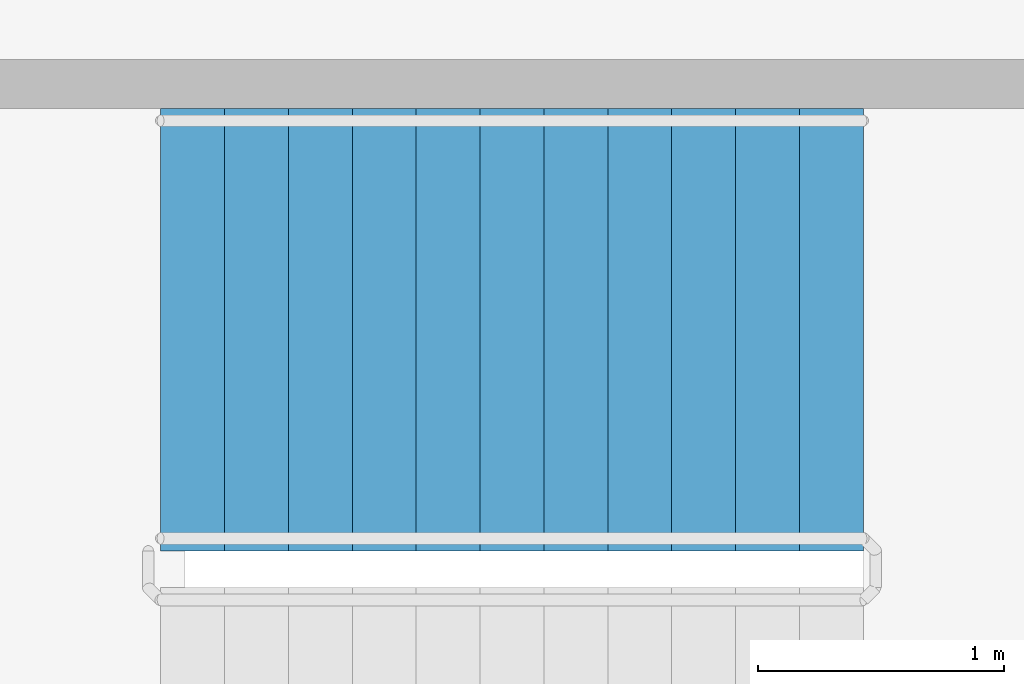
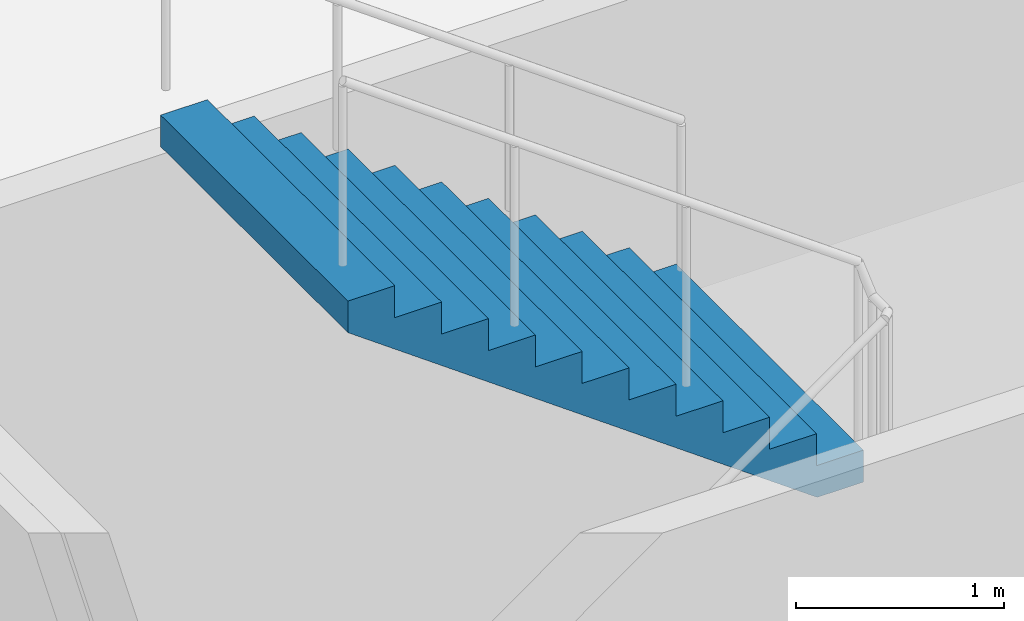
# One storey, part 27 of 49: 1 stair flight, 1 element without a shape of its own.
"""IFC4 building model written with IfcOpenShell, lengths in metres."""

from ifc_helpers import new_model, si_unit, direction, frame, origin, place, context, subcontext, project, spatial, faceted_brep, material, type_object, element, aggregate, save


model = new_model("IFC4")

# Units and contexts
model_context = context("Model", 3, precision=1e-05, world=origin(), true_north=direction((0.0, 1.0)))
body_context = subcontext(model_context, "Body", "Model", "MODEL_VIEW")
ifc_project = project(units=[si_unit("LENGTHUNIT", "METRE"), si_unit("AREAUNIT", "SQUARE_METRE"), si_unit("VOLUMEUNIT", "CUBIC_METRE"), si_unit("PLANEANGLEUNIT", "RADIAN"), si_unit("MASSUNIT", "GRAM", prefix="KILO")], contexts=[model_context])

# Site, building, storey
site_placement = place(None, origin())
site = spatial("IfcSite", under=ifc_project, at=site_placement, CompositionType="ELEMENT")
building_placement = place(site_placement, origin())
building = spatial("IfcBuilding", under=site, at=building_placement, Name="Ipe Terrace Towers", CompositionType="ELEMENT")
storey_placement = place(building_placement, frame((0.0, 0.0, 11.0)))
storey = spatial("IfcBuildingStorey", under=building, at=storey_placement, Name="L02", CompositionType="ELEMENT", Elevation=11.0)

# Stair, stair flight
ifc_material_1 = material(Name="Concrete C30/37", Category="concrete")
stair_type = type_object("IfcStairType", Name="Protected exit stair", PredefinedType="HALF_TURN_STAIR", material=ifc_material_1)
stair_placement = place(storey_placement, origin())
stair = element("IfcStair", 1, at=stair_placement, inside=storey, type_object=stair_type, Name="L02 Podium exit stair PS4", PredefinedType="HALF_TURN_STAIR")
ifc_material_2 = material(Name="Concrete C30/37", Category="concrete")
stair_flight_type = type_object("IfcStairFlightType", Name="Exit stair flight 1800", PredefinedType="STRAIGHT", material=ifc_material_2)
stair_flight_placement = place(storey_placement, frame((-54.409912109375, -20.550048828125, 2.25), z_axis=(0.0, 0.0, 1.0), x_axis=(-1.0, 0.0, 0.0)))
stair_flight = element("IfcStairFlight", 2, at=stair_flight_placement, type_object=stair_flight_type, Name="PS4 flight 2", NumberOfRisers=12, NumberOfTreads=11, PredefinedType="STRAIGHT", RiserHeight=0.1875, TreadLength=0.26, context=body_context, shape_type="Brep", body=[
    faceted_brep([(0.25634765625, -0.89990234375, 0.0), (2.860107421875, -0.89990234375, 1.877685546875), (2.860107421875, -0.89990234375, 2.0625), (2.60009765625, -0.89990234375, 2.0625), (2.60009765625, -0.89990234375, 1.875), (2.340087890625, -0.89990234375, 1.875), (2.340087890625, -0.89990234375, 1.6875), (2.080078125, -0.89990234375, 1.6875), (2.080078125, -0.89990234375, 1.5), (1.820068359375, -0.89990234375, 1.5), (1.820068359375, -0.89990234375, 1.3125), (1.56005859375, -0.89990234375, 1.3125), (1.56005859375, -0.89990234375, 1.125), (1.300048828125, -0.89990234375, 1.125), (1.300048828125, -0.89990234375, 0.9375), (1.0400390625, -0.89990234375, 0.9375), (1.0400390625, -0.89990234375, 0.75), (0.780029296875, -0.89990234375, 0.75), (0.780029296875, -0.89990234375, 0.5625), (0.52001953125, -0.89990234375, 0.5625), (0.52001953125, -0.89990234375, 0.375), (0.260009765625, -0.89990234375, 0.375), (0.260009765625, -0.89990234375, 0.1875), (0.0, -0.89990234375, 0.1875), (0.0, -0.89990234375, 0.0), (0.0, 0.89990234375, 0.0), (0.0, 0.89990234375, 0.1875), (0.260009765625, 0.89990234375, 0.1875), (0.260009765625, 0.89990234375, 0.375), (0.52001953125, 0.89990234375, 0.375), (0.52001953125, 0.89990234375, 0.5625), (0.780029296875, 0.89990234375, 0.5625), (0.780029296875, 0.89990234375, 0.75), (1.0400390625, 0.89990234375, 0.75), (1.0400390625, 0.89990234375, 0.9375), (1.300048828125, 0.89990234375, 0.9375), (1.300048828125, 0.89990234375, 1.125), (1.56005859375, 0.89990234375, 1.125), (1.56005859375, 0.89990234375, 1.3125), (1.820068359375, 0.89990234375, 1.3125), (1.820068359375, 0.89990234375, 1.5), (2.080078125, 0.89990234375, 1.5), (2.080078125, 0.89990234375, 1.6875), (2.340087890625, 0.89990234375, 1.6875), (2.340087890625, 0.89990234375, 1.875), (2.60009765625, 0.89990234375, 1.875), (2.60009765625, 0.89990234375, 2.0625), (2.860107421875, 0.89990234375, 2.0625), (2.860107421875, 0.89990234375, 1.877685546875), (0.25634765625, 0.89990234375, 0.0), (0.0, -0.300048828125, 0.1875), (0.0, -0.1201171875, 0.1875), (0.0, -0.06005859375, 0.1875), (0.0, -0.030029296875, 0.1875), (0.0, -0.010009765625, 0.1875), (0.0, 0.0, 0.1875), (0.0, 0.010009765625, 0.1875), (0.0, 0.030029296875, 0.1875), (0.0, 0.06005859375, 0.1875), (0.0, 0.1201171875, 0.1875), (0.0, 0.300048828125, 0.1875), (0.0, 0.300048828125, 0.0), (0.0, 0.1201171875, 0.0), (0.0, 0.06005859375, 0.0), (0.0, 0.030029296875, 0.0), (0.0, 0.010009765625, 0.0), (0.0, 0.0, 0.0), (0.0, -0.010009765625, 0.0), (0.0, -0.030029296875, 0.0), (0.0, -0.06005859375, 0.0), (0.0, -0.1201171875, 0.0), (0.0, -0.300048828125, 0.0), (0.260009765625, -0.300048828125, 0.1875), (0.260009765625, -0.1201171875, 0.1875), (0.260009765625, -0.06005859375, 0.1875), (0.260009765625, -0.030029296875, 0.1875), (0.260009765625, -0.010009765625, 0.1875), (0.260009765625, 0.0, 0.1875), (0.260009765625, 0.010009765625, 0.1875), (0.260009765625, 0.030029296875, 0.1875), (0.260009765625, 0.06005859375, 0.1875), (0.260009765625, 0.1201171875, 0.1875), (0.260009765625, 0.300048828125, 0.1875), (0.260009765625, -0.300048828125, 0.375), (0.260009765625, -0.1201171875, 0.375), (0.260009765625, -0.06005859375, 0.375), (0.260009765625, -0.030029296875, 0.375), (0.260009765625, -0.010009765625, 0.375), (0.260009765625, 0.0, 0.375), (0.260009765625, 0.010009765625, 0.375), (0.260009765625, 0.030029296875, 0.375), (0.260009765625, 0.06005859375, 0.375), (0.260009765625, 0.1201171875, 0.375), (0.260009765625, 0.300048828125, 0.375), (0.52001953125, -0.300048828125, 0.375), (0.52001953125, -0.1201171875, 0.375), (0.52001953125, -0.06005859375, 0.375), (0.52001953125, -0.030029296875, 0.375), (0.52001953125, -0.010009765625, 0.375), (0.52001953125, 0.0, 0.375), (0.52001953125, 0.010009765625, 0.375), (0.52001953125, 0.030029296875, 0.375), (0.52001953125, 0.06005859375, 0.375), (0.52001953125, 0.1201171875, 0.375), (0.52001953125, 0.300048828125, 0.375), (0.52001953125, -0.300048828125, 0.5625), (0.52001953125, -0.1201171875, 0.5625), (0.52001953125, -0.06005859375, 0.5625), (0.52001953125, -0.030029296875, 0.5625), (0.52001953125, -0.010009765625, 0.5625), (0.52001953125, 0.0, 0.5625), (0.52001953125, 0.010009765625, 0.5625), (0.52001953125, 0.030029296875, 0.5625), (0.52001953125, 0.06005859375, 0.5625), (0.52001953125, 0.1201171875, 0.5625), (0.52001953125, 0.300048828125, 0.5625), (0.780029296875, -0.300048828125, 0.5625), (0.780029296875, -0.1201171875, 0.5625), (0.780029296875, -0.06005859375, 0.5625), (0.780029296875, -0.030029296875, 0.5625), (0.780029296875, -0.010009765625, 0.5625), (0.780029296875, 0.0, 0.5625), (0.780029296875, 0.010009765625, 0.5625), (0.780029296875, 0.030029296875, 0.5625), (0.780029296875, 0.06005859375, 0.5625), (0.780029296875, 0.1201171875, 0.5625), (0.780029296875, 0.300048828125, 0.5625), (0.780029296875, -0.300048828125, 0.75), (0.780029296875, -0.1201171875, 0.75), (0.780029296875, -0.06005859375, 0.75), (0.780029296875, -0.030029296875, 0.75), (0.780029296875, -0.010009765625, 0.75), (0.780029296875, 0.0, 0.75), (0.780029296875, 0.010009765625, 0.75), (0.780029296875, 0.030029296875, 0.75), (0.780029296875, 0.06005859375, 0.75), (0.780029296875, 0.1201171875, 0.75), (0.780029296875, 0.300048828125, 0.75), (1.0400390625, -0.300048828125, 0.75), (1.0400390625, -0.1201171875, 0.75), (1.0400390625, -0.06005859375, 0.75), (1.0400390625, -0.030029296875, 0.75), (1.0400390625, -0.010009765625, 0.75), (1.0400390625, 0.0, 0.75), (1.0400390625, 0.010009765625, 0.75), (1.0400390625, 0.030029296875, 0.75), (1.0400390625, 0.06005859375, 0.75), (1.0400390625, 0.1201171875, 0.75), (1.0400390625, 0.300048828125, 0.75), (1.0400390625, -0.300048828125, 0.9375), (1.0400390625, -0.1201171875, 0.9375), (1.0400390625, -0.06005859375, 0.9375), (1.0400390625, -0.030029296875, 0.9375), (1.0400390625, -0.010009765625, 0.9375), (1.0400390625, 0.0, 0.9375), (1.0400390625, 0.010009765625, 0.9375), (1.0400390625, 0.030029296875, 0.9375), (1.0400390625, 0.06005859375, 0.9375), (1.0400390625, 0.1201171875, 0.9375), (1.0400390625, 0.300048828125, 0.9375), (1.300048828125, -0.300048828125, 0.9375), (1.300048828125, -0.1201171875, 0.9375), (1.300048828125, -0.06005859375, 0.9375), (1.300048828125, -0.030029296875, 0.9375), (1.300048828125, -0.010009765625, 0.9375), (1.300048828125, 0.0, 0.9375), (1.300048828125, 0.010009765625, 0.9375), (1.300048828125, 0.030029296875, 0.9375), (1.300048828125, 0.06005859375, 0.9375), (1.300048828125, 0.1201171875, 0.9375), (1.300048828125, 0.300048828125, 0.9375), (1.300048828125, -0.300048828125, 1.125), (1.300048828125, -0.1201171875, 1.125), (1.300048828125, -0.06005859375, 1.125), (1.300048828125, -0.030029296875, 1.125), (1.300048828125, -0.010009765625, 1.125), (1.300048828125, 0.0, 1.125), (1.300048828125, 0.010009765625, 1.125), (1.300048828125, 0.030029296875, 1.125), (1.300048828125, 0.06005859375, 1.125), (1.300048828125, 0.1201171875, 1.125), (1.300048828125, 0.300048828125, 1.125), (1.56005859375, -0.300048828125, 1.125), (1.56005859375, -0.1201171875, 1.125), (1.56005859375, -0.06005859375, 1.125), (1.56005859375, -0.030029296875, 1.125), (1.56005859375, -0.010009765625, 1.125), (1.56005859375, 0.0, 1.125), (1.56005859375, 0.010009765625, 1.125), (1.56005859375, 0.030029296875, 1.125), (1.56005859375, 0.06005859375, 1.125), (1.56005859375, 0.1201171875, 1.125), (1.56005859375, 0.300048828125, 1.125), (1.56005859375, -0.300048828125, 1.3125), (1.56005859375, -0.1201171875, 1.3125), (1.56005859375, -0.06005859375, 1.3125), (1.56005859375, -0.030029296875, 1.3125), (1.56005859375, -0.010009765625, 1.3125), (1.56005859375, 0.0, 1.3125), (1.56005859375, 0.010009765625, 1.3125), (1.56005859375, 0.030029296875, 1.3125), (1.56005859375, 0.06005859375, 1.3125), (1.56005859375, 0.1201171875, 1.3125), (1.56005859375, 0.300048828125, 1.3125), (1.820068359375, -0.300048828125, 1.3125), (1.820068359375, -0.1201171875, 1.3125), (1.820068359375, -0.06005859375, 1.3125), (1.820068359375, -0.030029296875, 1.3125), (1.820068359375, -0.010009765625, 1.3125), (1.820068359375, 0.0, 1.3125), (1.820068359375, 0.010009765625, 1.3125), (1.820068359375, 0.030029296875, 1.3125), (1.820068359375, 0.06005859375, 1.3125), (1.820068359375, 0.1201171875, 1.3125), (1.820068359375, 0.300048828125, 1.3125), (1.820068359375, -0.300048828125, 1.5), (1.820068359375, -0.1201171875, 1.5), (1.820068359375, -0.06005859375, 1.5), (1.820068359375, -0.030029296875, 1.5), (1.820068359375, -0.010009765625, 1.5), (1.820068359375, 0.0, 1.5), (1.820068359375, 0.010009765625, 1.5), (1.820068359375, 0.030029296875, 1.5), (1.820068359375, 0.06005859375, 1.5), (1.820068359375, 0.1201171875, 1.5), (1.820068359375, 0.300048828125, 1.5), (2.080078125, -0.300048828125, 1.5), (2.080078125, -0.1201171875, 1.5), (2.080078125, -0.06005859375, 1.5), (2.080078125, -0.030029296875, 1.5), (2.080078125, -0.010009765625, 1.5), (2.080078125, 0.0, 1.5), (2.080078125, 0.010009765625, 1.5), (2.080078125, 0.030029296875, 1.5), (2.080078125, 0.06005859375, 1.5), (2.080078125, 0.1201171875, 1.5), (2.080078125, 0.300048828125, 1.5), (2.080078125, -0.300048828125, 1.6875), (2.080078125, -0.1201171875, 1.6875), (2.080078125, -0.06005859375, 1.6875), (2.080078125, -0.030029296875, 1.6875), (2.080078125, -0.010009765625, 1.6875), (2.080078125, 0.0, 1.6875), (2.080078125, 0.010009765625, 1.6875), (2.080078125, 0.030029296875, 1.6875), (2.080078125, 0.06005859375, 1.6875), (2.080078125, 0.1201171875, 1.6875), (2.080078125, 0.300048828125, 1.6875), (2.340087890625, -0.300048828125, 1.6875), (2.340087890625, -0.1201171875, 1.6875), (2.340087890625, -0.06005859375, 1.6875), (2.340087890625, -0.030029296875, 1.6875), (2.340087890625, -0.010009765625, 1.6875), (2.340087890625, 0.0, 1.6875), (2.340087890625, 0.010009765625, 1.6875), (2.340087890625, 0.030029296875, 1.6875), (2.340087890625, 0.06005859375, 1.6875), (2.340087890625, 0.1201171875, 1.6875), (2.340087890625, 0.300048828125, 1.6875), (2.340087890625, -0.300048828125, 1.875), (2.340087890625, -0.1201171875, 1.875), (2.340087890625, -0.06005859375, 1.875), (2.340087890625, -0.030029296875, 1.875), (2.340087890625, -0.010009765625, 1.875), (2.340087890625, 0.0, 1.875), (2.340087890625, 0.010009765625, 1.875), (2.340087890625, 0.030029296875, 1.875), (2.340087890625, 0.06005859375, 1.875), (2.340087890625, 0.1201171875, 1.875), (2.340087890625, 0.300048828125, 1.875), (2.60009765625, -0.300048828125, 1.875), (2.60009765625, -0.1201171875, 1.875), (2.60009765625, -0.06005859375, 1.875), (2.60009765625, -0.030029296875, 1.875), (2.60009765625, -0.010009765625, 1.875), (2.60009765625, 0.0, 1.875), (2.60009765625, 0.010009765625, 1.875), (2.60009765625, 0.030029296875, 1.875), (2.60009765625, 0.06005859375, 1.875), (2.60009765625, 0.1201171875, 1.875), (2.60009765625, 0.300048828125, 1.875), (2.60009765625, -0.300048828125, 2.0625), (2.60009765625, -0.1201171875, 2.0625), (2.60009765625, -0.06005859375, 2.0625), (2.60009765625, -0.030029296875, 2.0625), (2.60009765625, -0.010009765625, 2.0625), (2.60009765625, 0.0, 2.0625), (2.60009765625, 0.010009765625, 2.0625), (2.60009765625, 0.030029296875, 2.0625), (2.60009765625, 0.06005859375, 2.0625), (2.60009765625, 0.1201171875, 2.0625), (2.60009765625, 0.300048828125, 2.0625), (2.860107421875, -0.300048828125, 2.0625), (2.860107421875, -0.1201171875, 2.0625), (2.860107421875, -0.06005859375, 2.0625), (2.860107421875, -0.030029296875, 2.0625), (2.860107421875, -0.010009765625, 2.0625), (2.860107421875, 0.0, 2.0625), (2.860107421875, 0.010009765625, 2.0625), (2.860107421875, 0.030029296875, 2.0625), (2.860107421875, 0.06005859375, 2.0625), (2.860107421875, 0.1201171875, 2.0625), (2.860107421875, 0.300048828125, 2.0625), (2.860107421875, -0.300048828125, 1.877685546875), (2.860107421875, -0.1201171875, 1.877685546875), (2.860107421875, -0.06005859375, 1.877685546875), (2.860107421875, -0.030029296875, 1.877685546875), (2.860107421875, -0.010009765625, 1.877685546875), (2.860107421875, 0.0, 1.877685546875), (2.860107421875, 0.010009765625, 1.877685546875), (2.860107421875, 0.030029296875, 1.877685546875), (2.860107421875, 0.06005859375, 1.877685546875), (2.860107421875, 0.1201171875, 1.877685546875), (2.860107421875, 0.300048828125, 1.877685546875), (0.25634765625, -0.300048828125, 0.0), (0.25634765625, -0.1201171875, 0.0), (0.25634765625, -0.06005859375, 0.0), (0.25634765625, -0.030029296875, 0.0), (0.25634765625, -0.010009765625, 0.0), (0.25634765625, 0.0, 0.0), (0.25634765625, 0.010009765625, 0.0), (0.25634765625, 0.030029296875, 0.0), (0.25634765625, 0.06005859375, 0.0), (0.25634765625, 0.1201171875, 0.0), (0.25634765625, 0.300048828125, 0.0)], [[[0, 1, 2, 3, 4, 5, 6, 7, 8, 9, 10, 11, 12, 13, 14, 15, 16, 17, 18, 19, 20, 21, 22, 23, 24]], [[25, 26, 27, 28, 29, 30, 31, 32, 33, 34, 35, 36, 37, 38, 39, 40, 41, 42, 43, 44, 45, 46, 47, 48, 49]], [[23, 50, 51, 52, 53, 54, 55, 56, 57, 58, 59, 60, 26, 25, 61, 62, 63, 64, 65, 66, 67, 68, 69, 70, 71, 24]], [[22, 72, 73, 74, 75, 76, 77, 78, 79, 80, 81, 82, 27, 26, 60, 59, 58, 57, 56, 55, 54, 53, 52, 51, 50, 23]], [[21, 83, 84, 85, 86, 87, 88, 89, 90, 91, 92, 93, 28, 27, 82, 81, 80, 79, 78, 77, 76, 75, 74, 73, 72, 22]], [[20, 94, 95, 96, 97, 98, 99, 100, 101, 102, 103, 104, 29, 28, 93, 92, 91, 90, 89, 88, 87, 86, 85, 84, 83, 21]], [[19, 105, 106, 107, 108, 109, 110, 111, 112, 113, 114, 115, 30, 29, 104, 103, 102, 101, 100, 99, 98, 97, 96, 95, 94, 20]], [[18, 116, 117, 118, 119, 120, 121, 122, 123, 124, 125, 126, 31, 30, 115, 114, 113, 112, 111, 110, 109, 108, 107, 106, 105, 19]], [[17, 127, 128, 129, 130, 131, 132, 133, 134, 135, 136, 137, 32, 31, 126, 125, 124, 123, 122, 121, 120, 119, 118, 117, 116, 18]], [[16, 138, 139, 140, 141, 142, 143, 144, 145, 146, 147, 148, 33, 32, 137, 136, 135, 134, 133, 132, 131, 130, 129, 128, 127, 17]], [[15, 149, 150, 151, 152, 153, 154, 155, 156, 157, 158, 159, 34, 33, 148, 147, 146, 145, 144, 143, 142, 141, 140, 139, 138, 16]], [[14, 160, 161, 162, 163, 164, 165, 166, 167, 168, 169, 170, 35, 34, 159, 158, 157, 156, 155, 154, 153, 152, 151, 150, 149, 15]], [[13, 171, 172, 173, 174, 175, 176, 177, 178, 179, 180, 181, 36, 35, 170, 169, 168, 167, 166, 165, 164, 163, 162, 161, 160, 14]], [[12, 182, 183, 184, 185, 186, 187, 188, 189, 190, 191, 192, 37, 36, 181, 180, 179, 178, 177, 176, 175, 174, 173, 172, 171, 13]], [[11, 193, 194, 195, 196, 197, 198, 199, 200, 201, 202, 203, 38, 37, 192, 191, 190, 189, 188, 187, 186, 185, 184, 183, 182, 12]], [[10, 204, 205, 206, 207, 208, 209, 210, 211, 212, 213, 214, 39, 38, 203, 202, 201, 200, 199, 198, 197, 196, 195, 194, 193, 11]], [[9, 215, 216, 217, 218, 219, 220, 221, 222, 223, 224, 225, 40, 39, 214, 213, 212, 211, 210, 209, 208, 207, 206, 205, 204, 10]], [[8, 226, 227, 228, 229, 230, 231, 232, 233, 234, 235, 236, 41, 40, 225, 224, 223, 222, 221, 220, 219, 218, 217, 216, 215, 9]], [[7, 237, 238, 239, 240, 241, 242, 243, 244, 245, 246, 247, 42, 41, 236, 235, 234, 233, 232, 231, 230, 229, 228, 227, 226, 8]], [[6, 248, 249, 250, 251, 252, 253, 254, 255, 256, 257, 258, 43, 42, 247, 246, 245, 244, 243, 242, 241, 240, 239, 238, 237, 7]], [[5, 259, 260, 261, 262, 263, 264, 265, 266, 267, 268, 269, 44, 43, 258, 257, 256, 255, 254, 253, 252, 251, 250, 249, 248, 6]], [[4, 270, 271, 272, 273, 274, 275, 276, 277, 278, 279, 280, 45, 44, 269, 268, 267, 266, 265, 264, 263, 262, 261, 260, 259, 5]], [[3, 281, 282, 283, 284, 285, 286, 287, 288, 289, 290, 291, 46, 45, 280, 279, 278, 277, 276, 275, 274, 273, 272, 271, 270, 4]], [[2, 292, 293, 294, 295, 296, 297, 298, 299, 300, 301, 302, 47, 46, 291, 290, 289, 288, 287, 286, 285, 284, 283, 282, 281, 3]], [[1, 303, 304, 305, 306, 307, 308, 309, 310, 311, 312, 313, 48, 47, 302, 301, 300, 299, 298, 297, 296, 295, 294, 293, 292, 2]], [[0, 314, 315, 316, 317, 318, 319, 320, 321, 322, 323, 324, 49, 48, 313, 312, 311, 310, 309, 308, 307, 306, 305, 304, 303, 1]], [[24, 71, 70, 69, 68, 67, 66, 65, 64, 63, 62, 61, 25, 49, 324, 323, 322, 321, 320, 319, 318, 317, 316, 315, 314, 0]]]),
])
aggregate(stair, [stair_flight])

save(model, "model.ifc")
